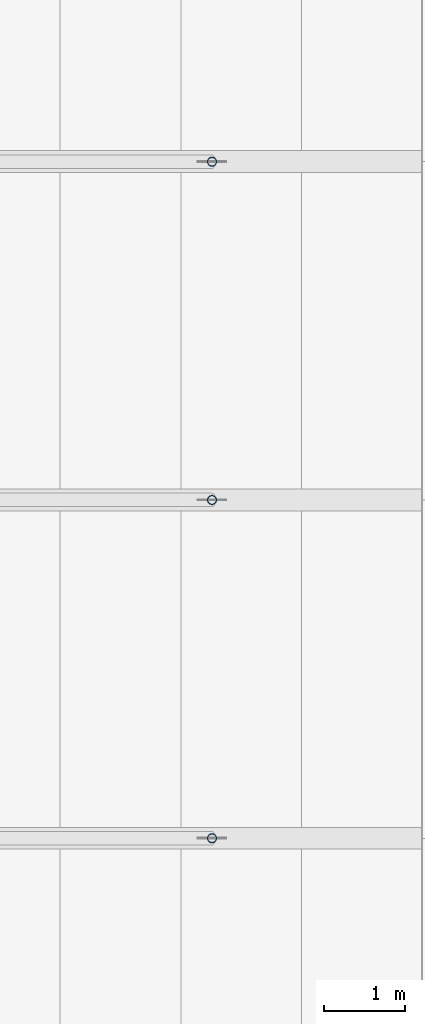
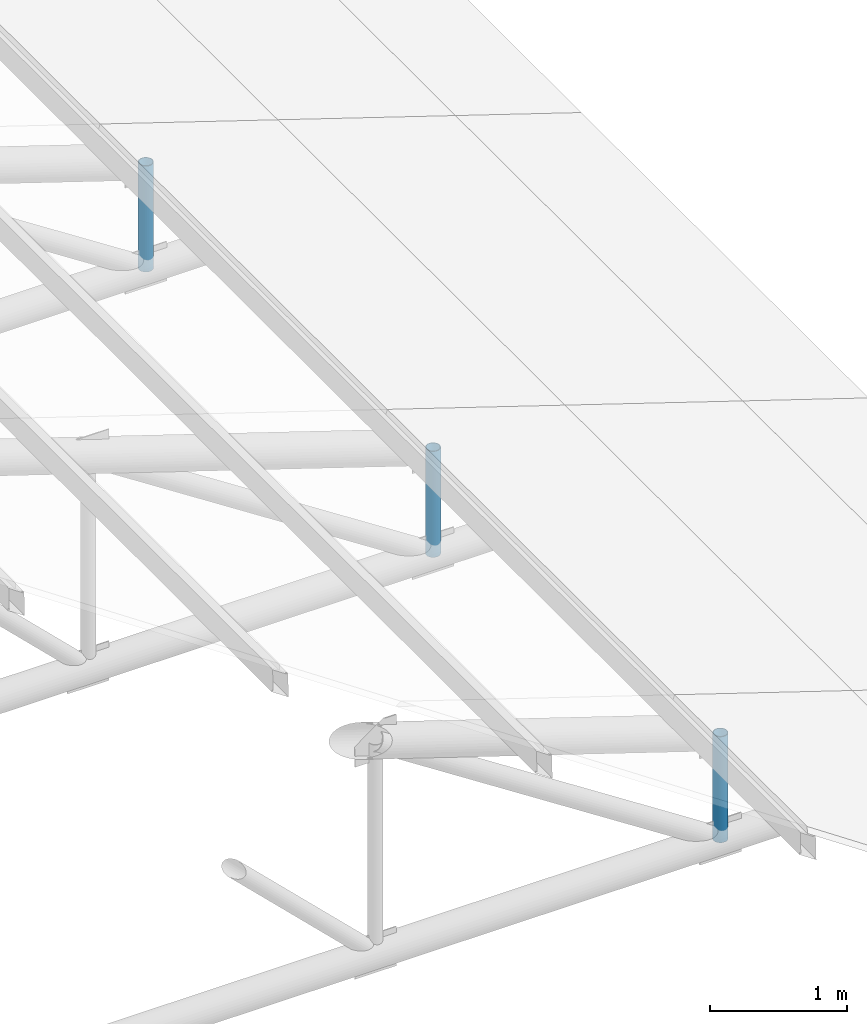
# One storey, part 65 of 95: 3 members.
"""IFC4 building model written with IfcOpenShell, lengths in metres."""

import ifcopenshell
import ifcopenshell.guid

model = None  # the IFC model being written
_history = None  # IfcOwnerHistory: only IFC2X3 demands one
_inside = {}  # id of a spatial element -> (the spatial element, [elements in it])
_under = {}  # id of a project, library or spatial element -> (it, [spatial elements below it])
_declared = {}  # id of a project -> (the project, [libraries it declares])
_typed = {}  # id of a type object -> (the type object, [elements of that type])
_made_of = {}  # id of a material, layer set ... -> (it, [elements and type objects made of it])


def new_model(schema):
    """Start an empty IFC model of exactly this schema.

    Asked for "IFC4X3", IfcOpenShell would pick the latest addendum, in which some entities
    have other attributes; the version numbers below select the first issue.
    IFC2X3 requires an IfcOwnerHistory on every rooted entity: one is made here for all.
    """
    global model, _history
    if schema == "IFC4X3":
        model = ifcopenshell.file(schema_version=(4, 3, 0, 0))
    else:
        model = ifcopenshell.file(schema=schema)
    _inside.clear()
    _under.clear()
    _declared.clear()
    _typed.clear()
    _made_of.clear()
    _history = None
    if model.schema == "IFC2X3":
        org = make("IfcOrganization", Name="unknown")
        user = make(
            "IfcPersonAndOrganization",
            ThePerson=make("IfcPerson", FamilyName="unknown"),
            TheOrganization=org,
        )
        app = make(
            "IfcApplication",
            ApplicationDeveloper=org,
            Version="unknown",
            ApplicationFullName="unknown",
            ApplicationIdentifier="unknown",
        )
        _history = make(
            "IfcOwnerHistory",
            OwningUser=user,
            OwningApplication=app,
            ChangeAction="ADDED",
            CreationDate=0,
        )
    return model


def make(cls, **values):
    """One entity of the class cls with the attributes given. An attribute that is None is left unset."""
    return model.create_entity(
        cls, **{name: value for name, value in values.items() if value is not None}
    )


def rooted(cls, **values):
    """An entity with a GlobalId (a new one), such as an element, a storey or a relation."""
    return make(cls, GlobalId=ifcopenshell.guid.new(), OwnerHistory=_history, **values)


def si_unit(unit_type, name, prefix=None):
    """IfcSIUnit, for example si_unit("LENGTHUNIT", "METRE", prefix="MILLI")."""
    return make("IfcSIUnit", UnitType=unit_type, Prefix=prefix, Name=name)


def assignment(units):
    """IfcUnitAssignment: the units of a project."""
    return None if units is None else make("IfcUnitAssignment", Units=units)


def point(xyz):
    """IfcCartesianPoint."""
    return None if xyz is None else make("IfcCartesianPoint", Coordinates=xyz)


def direction(xyz):
    """IfcDirection."""
    return None if xyz is None else make("IfcDirection", DirectionRatios=xyz)


def frame(location, z_axis=None, x_axis=None):
    """IfcAxis2Placement3D, a coordinate frame: its origin and axes. An axis left out is left unset."""
    return make(
        "IfcAxis2Placement3D",
        Location=point(location),
        Axis=direction(z_axis),
        RefDirection=direction(x_axis),
    )


def frame_2d(location, x_axis=None):
    """IfcAxis2Placement2D, a coordinate frame in the plane: its origin and x axis."""
    return make(
        "IfcAxis2Placement2D", Location=point(location), RefDirection=direction(x_axis)
    )


def origin():
    """The frame at (0, 0, 0) with its axes left unset."""
    return frame((0.0, 0.0, 0.0))


def origin_2d():
    """The frame at (0, 0) in the plane with its x axis left unset."""
    return frame_2d((0.0, 0.0))


def place(relative_to, where):
    """IfcLocalPlacement: puts the frame where relative to a parent placement (None: the world)."""
    return make(
        "IfcLocalPlacement", PlacementRelTo=relative_to, RelativePlacement=where
    )


def context(
    kind, dimensions, precision=None, world=None, true_north=None, identifier=None
):
    """IfcGeometricRepresentationContext, for example the 3D "Model" context."""
    return make(
        "IfcGeometricRepresentationContext",
        ContextIdentifier=identifier,
        ContextType=kind,
        CoordinateSpaceDimension=dimensions,
        Precision=precision,
        WorldCoordinateSystem=world,
        TrueNorth=true_north,
    )


def subcontext(parent, identifier, kind, view, scale=None):
    """IfcGeometricRepresentationSubContext, for example "Body" below "Model"."""
    return make(
        "IfcGeometricRepresentationSubContext",
        ContextIdentifier=identifier,
        ContextType=kind,
        ParentContext=parent,
        TargetScale=scale,
        TargetView=view,
    )


def project(units=None, contexts=None):
    """IfcProject with its units and contexts."""
    return rooted(
        "IfcProject",
        Name="project",
        RepresentationContexts=contexts,
        UnitsInContext=assignment(units),
    )


def spatial(cls, under=None, at=None, **own):
    """A site, building, storey or space (cls), placed at a placement, below another one or the project."""
    s = rooted(cls, ObjectPlacement=at, **own)
    if under is not None:
        _under.setdefault(under.id(), (under, []))[1].append(s)
    return s


def profile(cls, at=None, kind="AREA", **sizes):
    """A parametric profile (cls). Its sizes go by their IFC names, for example OverallWidth=200.0."""
    return make(cls, ProfileType=kind, Position=at, **sizes)


def hollow_circle(**sizes):
    """IfcCircleHollowProfileDef."""
    return profile("IfcCircleHollowProfileDef", **sizes)


def extrude(swept, where, along, depth):
    """IfcExtrudedAreaSolid: the profile swept, set in the frame where, extruded along a direction by depth."""
    return make(
        "IfcExtrudedAreaSolid",
        SweptArea=swept,
        Position=where,
        ExtrudedDirection=direction(along),
        Depth=depth,
    )


def shape(context_of_items, identifier, shape_type, items):
    """IfcShapeRepresentation: the items that make up one representation, for example the "Body"."""
    return make(
        "IfcShapeRepresentation",
        ContextOfItems=context_of_items,
        RepresentationIdentifier=identifier,
        RepresentationType=shape_type,
        Items=items,
    )


def material(Name=None, Category=None):
    """IfcMaterial."""
    return make("IfcMaterial", Name=Name, Category=Category)


def material_profile(
    of_material, cross_section, Name=None, Category=None, Priority=None
):
    """IfcMaterialProfile: a cross section and its material."""
    return make(
        "IfcMaterialProfile",
        Name=Name,
        Material=of_material,
        Profile=cross_section,
        Priority=Priority,
        Category=Category,
    )


def profile_set(profiles, Name=None, composite=None):
    """IfcMaterialProfileSet."""
    return make(
        "IfcMaterialProfileSet",
        Name=Name,
        MaterialProfiles=profiles,
        CompositeProfile=composite,
    )


def made_of(thing, what):
    """Note that an element or type object is made of a material, layer set ...; save() writes the relation."""
    if what is not None:
        _made_of.setdefault(what.id(), (what, []))[1].append(thing)
    return thing


def type_object(cls, material=None, **own):
    """A type object (cls), such as IfcWallType, which elements share."""
    return made_of(rooted(cls, **own), material)


def element(
    cls,
    number,
    at=None,
    inside=None,
    cuts=None,
    type_object=None,
    material=None,
    context=None,
    identifier="Body",
    shape_type=None,
    held_by="IfcProductDefinitionShape",
    body=None,
    shapes=None,
    **own,
):
    """One element of the class cls, such as IfcWall. Its Tag is "e" and its number.

    at: its placement. inside: the storey or other place that contains it. cuts: it is an
    opening in that element (IfcRelVoidsElement). A single representation is given by context,
    identifier, shape_type and body (its items); several are given by shapes. held_by: the class
    of the entity that holds the representations. save() writes the other relations.
    """
    e = rooted(cls, Tag="e%d" % number, ObjectPlacement=at, **own)
    if body is not None:
        shapes = [shape(context, identifier, shape_type, body)]
    if shapes is not None:
        e.Representation = make(held_by, Representations=shapes)
    if inside is not None:
        _inside.setdefault(inside.id(), (inside, []))[1].append(e)
    if cuts is not None:
        rooted(
            "IfcRelVoidsElement", RelatingBuildingElement=cuts, RelatedOpeningElement=e
        )
    if type_object is not None:
        _typed.setdefault(type_object.id(), (type_object, []))[1].append(e)
    return made_of(e, material)


def aggregate(whole, parts):
    """IfcRelAggregates: a whole, such as a stair, and the parts it consists of."""
    return rooted("IfcRelAggregates", RelatingObject=whole, RelatedObjects=parts)


def save(model, path):
    """Write the relations noted so far, then the file.

    IfcRelAggregates (storeys below a building ...), IfcRelContainedInSpatialStructure (elements
    in a storey), IfcRelDefinesByType, IfcRelAssociatesMaterial and IfcRelDeclares: one each for
    every whole, place, type object, material and project.
    """
    for whole, parts in _under.values():
        aggregate(whole, parts)
    for where, things in _inside.values():
        rooted(
            "IfcRelContainedInSpatialStructure",
            RelatedElements=things,
            RelatingStructure=where,
        )
    for kind, things in _typed.values():
        rooted("IfcRelDefinesByType", RelatedObjects=things, RelatingType=kind)
    for what, things in _made_of.values():
        rooted("IfcRelAssociatesMaterial", RelatedObjects=things, RelatingMaterial=what)
    for by, libraries in _declared.values():
        rooted("IfcRelDeclares", RelatingContext=by, RelatedDefinitions=libraries)
    model.write(path)


model = new_model("IFC4")

# Units and contexts
model_context = context("Model", 3, precision=1e-05, world=origin(), true_north=direction((0.0, 1.0)))
body_context = subcontext(model_context, "Body", "Model", "MODEL_VIEW")
ifc_project = project(units=[si_unit("LENGTHUNIT", "METRE"), si_unit("AREAUNIT", "SQUARE_METRE"), si_unit("VOLUMEUNIT", "CUBIC_METRE"), si_unit("PLANEANGLEUNIT", "RADIAN"), si_unit("MASSUNIT", "GRAM", prefix="KILO")], contexts=[model_context])

# Site, building, storey
site_placement = place(None, origin())
site = spatial("IfcSite", under=ifc_project, at=site_placement, CompositionType="ELEMENT")
building_placement = place(site_placement, origin())
building = spatial("IfcBuilding", under=site, at=building_placement, Name="Kiln Court Media Centre", CompositionType="ELEMENT")
storey_placement = place(building_placement, frame((0.0, 0.0, 24.60009765625)))
storey = spatial("IfcBuildingStorey", under=building, at=storey_placement, Name="L05", CompositionType="ELEMENT", Elevation=24.60009765625)

# Members
ifc_material = material(Name="Steel ASTM A500 Gr C", Category="steel")
ifc_material_profile = material_profile(ifc_material, hollow_circle(Radius=0.05712890625, WallThickness=0.0048828125, at=origin_2d()), Name="CHS 114.3x5.0")
ifc_profile_set = profile_set([ifc_material_profile], Name="Steel ASTM A500 Gr C")
member_type = type_object("IfcMemberType", Name="Steel ASTM A500 Gr C CHS 114.3x5.0 truss web", PredefinedType="BRACE", material=ifc_profile_set)
for number, where, z_axis, x_axis, name in (
    (1, (55.137451171875, 50.39990234375, -0.013916015625), (0.0, 0.0, 1.0), (1.0, 0.0, 0.0), "foyer truss FT-07 post 7 truss web"),
    (2, (55.137451171875, 54.60009765625, -0.013916015625), (0.0, 0.0, 1.0), (1.0, 0.0, 0.0), "foyer truss FT-08 post 7 truss web"),
    (3, (55.137451171875, 58.800048828125, -0.013916015625), (0.0, 0.0, 1.0), (1.0, 0.0, 0.0), "foyer truss FT-09 post 7 truss web"),
):
    element("IfcMember", number, at=place(storey_placement, frame(where, z_axis=z_axis, x_axis=x_axis)), inside=storey, type_object=member_type, Name=name, PredefinedType="BRACE", context=body_context, shape_type="SweptSolid", body=[
        extrude(hollow_circle(Radius=0.05712890625, WallThickness=0.0048828125, at=origin_2d()), origin(), (0.0, 0.0, 1.0), 0.946533203125),
    ])

save(model, "model.ifc")
